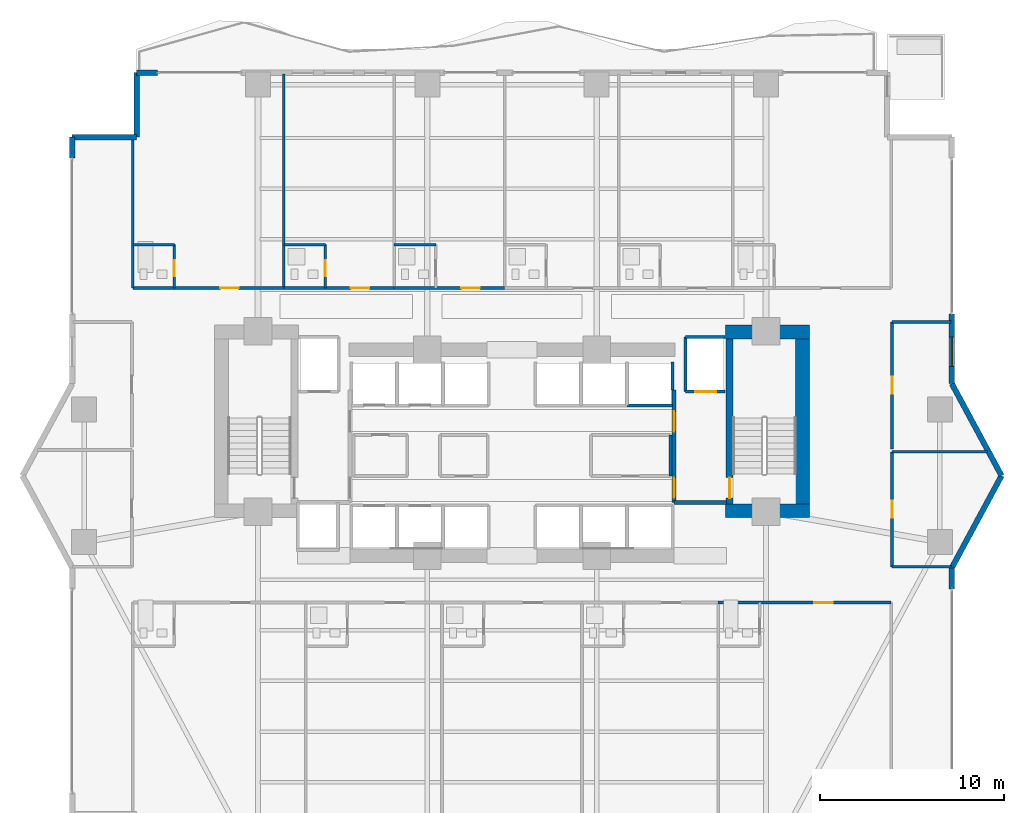
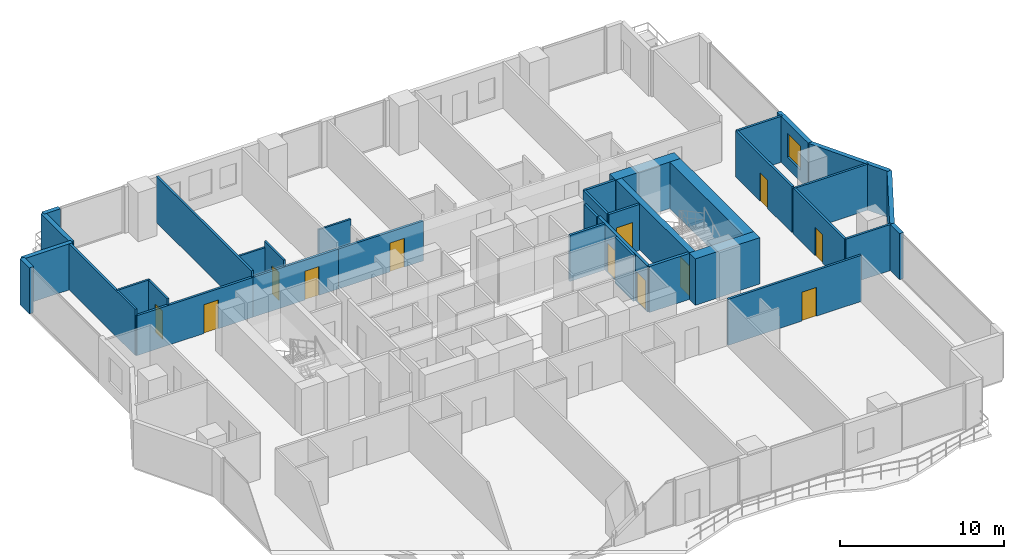
# One storey, part 22 of 27: 36 walls, 12 doors, 1 window, 13 openings.
"""IFC4 building model written with IfcOpenShell, lengths in metres."""

from ifc_helpers import new_model, si_unit, direction, frame, frame_2d, origin, place, context, subcontext, project, spatial, rectangle, extrude, material, layer, layer_set, type_object, element, fill, save


model = new_model("IFC4")

# Units and contexts
model_context = context("Model", 3, precision=1e-05, world=origin(), true_north=direction((0.0, 1.0)))
body_context = subcontext(model_context, "Body", "Model", "MODEL_VIEW")
ifc_project = project(units=[si_unit("LENGTHUNIT", "METRE"), si_unit("AREAUNIT", "SQUARE_METRE"), si_unit("VOLUMEUNIT", "CUBIC_METRE"), si_unit("PLANEANGLEUNIT", "RADIAN"), si_unit("MASSUNIT", "GRAM", prefix="KILO")], contexts=[model_context])

# Site, building, storey
site_placement = place(None, origin())
site = spatial("IfcSite", under=ifc_project, at=site_placement, CompositionType="ELEMENT")
building_placement = place(site_placement, origin())
building = spatial("IfcBuilding", under=site, at=building_placement, Name="Zuhayl Quay Hotel", CompositionType="ELEMENT")
storey_placement = place(building_placement, frame((0.0, 0.0, 102.949951171875)))
storey = spatial("IfcBuildingStorey", under=building, at=storey_placement, Name="L25", CompositionType="ELEMENT", Elevation=102.949951171875)

# Walls
ifc_material_1 = material(Name="Concrete C60/75", Category="concrete")
ifc_layer_1 = layer(ifc_material_1, 0.75, Name="Concrete C60/75", Category="concrete")
ifc_layer_set_1 = layer_set([ifc_layer_1], Name="Concrete C60/75")
wall_type_1 = type_object("IfcWallType", Name="WL_CORE_750", PredefinedType="SHEAR", material=ifc_layer_set_1)
wall_1_placement = place(storey_placement, frame((11.60009765625, 14.304931640625, 0.0), z_axis=(0.0, 0.0, 1.0), x_axis=(1.0, 0.0, 0.0)))
element("IfcWall", 1, at=wall_1_placement, inside=storey, type_object=wall_type_1, Name="L25 Core Shear Wall CW_NE", PredefinedType="SHEAR", context=body_context, shape_type="SweptSolid", body=[
    extrude(rectangle(XDim=4.559814453125, YDim=0.75, at=frame_2d((2.27978515625, 0.0))), origin(), (0.0, 0.0, 1.0), 3.4599609375),
])
wall_2_placement = place(storey_placement, frame((15.784912109375, 4.969970703125, 0.0), z_axis=(0.0, 0.0, 1.0), x_axis=(0.0, 1.0, 0.0)))
element("IfcWall", 2, at=wall_2_placement, inside=storey, type_object=wall_type_1, Name="L25 Core Shear Wall CW_E", PredefinedType="SHEAR", context=body_context, shape_type="SweptSolid", body=[
    extrude(rectangle(XDim=8.9599609375, YDim=0.75, at=frame_2d((4.47998046875, 0.0))), origin(), (0.0, 0.0, 1.0), 3.4599609375),
])
wall_3_placement = place(storey_placement, frame((11.60009765625, 4.594970703125, 0.0), z_axis=(0.0, 0.0, 1.0), x_axis=(1.0, 0.0, 0.0)))
element("IfcWall", 3, at=wall_3_placement, inside=storey, type_object=wall_type_1, Name="L25 Core Shear Wall CW_SE", PredefinedType="SHEAR", context=body_context, shape_type="SweptSolid", body=[
    extrude(rectangle(XDim=4.559814453125, YDim=0.75, at=frame_2d((2.27978515625, 0.0))), origin(), (0.0, 0.0, 1.0), 3.4599609375),
])
ifc_material_2 = material(Name="Precast concrete C45/55", Category="concrete")
ifc_layer_2 = layer(ifc_material_2, 0.300048828125, Name="Precast concrete C45/55", Category="concrete")
ifc_layer_set_2 = layer_set([ifc_layer_2], Name="Precast concrete C45/55")
wall_type_2 = type_object("IfcWallType", Name="WL_EXT_300", PredefinedType="STANDARD", material=ifc_layer_set_2)
wall_4_placement = place(storey_placement, frame((-23.89990234375, 23.75, 0.0), z_axis=(0.0, 0.0, 1.0), x_axis=(0.0, 1.0, 0.0)))
element("IfcWall", 4, at=wall_4_placement, inside=storey, type_object=wall_type_2, Name="L25 Exterior Precast Wall ENV_L25_E05_EW2", PredefinedType="STANDARD", context=body_context, shape_type="SweptSolid", body=[
    extrude(rectangle(XDim=1.14990234375, YDim=0.300048828125, at=frame_2d((0.574951171875, 0.0))), origin(), (0.0, 0.0, 1.0), 3.429931640625),
])
for number, where, z_axis, x_axis, name in (
    (5, (-23.89990234375, 24.89990234375, 0.0), (0.0, 0.0, 1.0), (1.0, 0.0, 0.0), "L25 Exterior Precast Wall ENV_L25_EW06"),
    (6, (-20.39990234375, 24.89990234375, 0.0), (0.0, 0.0, 1.0), (0.0, 1.0, 0.0), "L25 Exterior Precast Wall ENV_L25_EW07"),
):
    element("IfcWall", number, at=place(storey_placement, frame(where, z_axis=z_axis, x_axis=x_axis)), inside=storey, type_object=wall_type_2, Name=name, PredefinedType="STANDARD", context=body_context, shape_type="SweptSolid", body=[
        extrude(rectangle(XDim=3.5, YDim=0.300048828125, at=frame_2d((1.75, 0.0))), origin(), (0.0, 0.0, 1.0), 3.429931640625),
    ])
wall_5_placement = place(storey_placement, frame((-20.39990234375, 28.39990234375, 0.0), z_axis=(0.0, 0.0, 1.0), x_axis=(1.0, 0.0, 0.0)))
element("IfcWall", 7, at=wall_5_placement, inside=storey, type_object=wall_type_2, Name="L25 Exterior Precast Wall ENV_L25_N_EW1", PredefinedType="STANDARD", context=body_context, shape_type="SweptSolid", body=[
    extrude(rectangle(XDim=1.14990234375, YDim=0.300048828125, at=frame_2d((0.574951171875, 0.0))), origin(), (0.0, 0.0, 1.0), 3.429931640625),
])

# Wall, opening, window
wall_6_placement = place(storey_placement, frame((23.89990234375, 15.300048828125, 0.0), z_axis=(0.0, 0.0, 1.0), x_axis=(0.0, -1.0, 0.0)))
wall_6 = element("IfcWall", 8, at=wall_6_placement, inside=storey, type_object=wall_type_2, Name="L25 Exterior Precast Wall ENV_L25_E11_EW2", PredefinedType="STANDARD", context=body_context, shape_type="SweptSolid", body=[
    extrude(rectangle(XDim=3.800048828125, YDim=0.300048828125, at=frame_2d((1.89990234375, 0.0))), origin(), (0.0, 0.0, 1.0), 3.429931640625),
])
opening_1_placement = place(wall_6_placement, frame((1.264892578125, 0.0, 0.85009765625)))
opening_1 = element("IfcOpeningElement", 9, at=opening_1_placement, cuts=wall_6, Name="Opening W01", PredefinedType="OPENING", context=body_context, shape_type="SweptSolid", body=[
    extrude(rectangle(XDim=1.60009765625, YDim=1.800048828125, at=frame_2d((0.800048828125, 0.89990234375))), frame((0.0, 0.159912109375, 0.0), z_axis=(0.0, -1.0, 0.0), x_axis=(1.0, 0.0, 0.0)), (0.0, 0.0, 1.0), 0.320068359375),
])
ifc_material_3 = material(Name="Dark Ceramic-Fritted Solar Glass", Category="glass")
window_type = type_object("IfcWindowType", Name="WN_OPERABLE_1600", PartitioningType="DOUBLE_PANEL_VERTICAL", PredefinedType="WINDOW", material=ifc_material_3)
window_placement = place(opening_1_placement, origin())
window = element("IfcWindow", 10, at=window_placement, inside=storey, type_object=window_type, Name="L25 Operable Facade Window 2-1", OverallHeight=1.800048828125, OverallWidth=1.60009765625, PartitioningType="SINGLE_PANEL", PredefinedType="WINDOW", context=body_context, shape_type="SweptSolid", body=[
    extrude(rectangle(XDim=1.60009765625, YDim=1.800048828125, at=frame_2d((0.800048828125, 0.89990234375))), frame((0.0, 0.030029296875, 0.0), z_axis=(0.0, -1.0, 0.0), x_axis=(1.0, 0.0, 0.0)), (0.0, 0.0, 1.0), 0.06005859375),
])
fill(opening_1, window)

# Walls
for number, where, z_axis, x_axis, name in (
    (11, (23.89990234375, 11.5, 0.0), (0.0, 0.0, 1.0), (0.475175525499, -0.879891027325, 0.0), "L25 Exterior Precast Wall ENV_L25_EW12"),
    (12, (26.60009765625, 6.5, 0.0), (0.0, 0.0, 1.0), (-0.475175525499, -0.879891027325, 0.0), "L25 Exterior Precast Wall ENV_L25_EW13"),
):
    element("IfcWall", number, at=place(storey_placement, frame(where, z_axis=z_axis, x_axis=x_axis)), inside=storey, type_object=wall_type_2, Name=name, PredefinedType="STANDARD", context=body_context, shape_type="SweptSolid", body=[
        extrude(rectangle(XDim=5.6826171875, YDim=0.300048828125, at=frame_2d((2.84130859375, 0.0))), origin(), (0.0, 0.0, 1.0), 3.429931640625),
    ])
wall_7_placement = place(storey_placement, frame((23.89990234375, 1.5, 0.0), z_axis=(0.0, 0.0, 1.0), x_axis=(0.0, -1.0, 0.0)))
element("IfcWall", 13, at=wall_7_placement, inside=storey, type_object=wall_type_2, Name="L25 Exterior Precast Wall ENV_L25_E14_EW1", PredefinedType="STANDARD", context=body_context, shape_type="SweptSolid", body=[
    extrude(rectangle(XDim=1.14990234375, YDim=0.300048828125, at=frame_2d((0.574951171875, 0.0))), origin(), (0.0, 0.0, 1.0), 3.429931640625),
])
ifc_material_4 = material(Name="Acoustic Gypsum Partition STC-58")
ifc_layer_3 = layer(ifc_material_4, 0.14990234375, Name="Acoustic Gypsum Partition STC-58")
ifc_layer_set_3 = layer_set([ifc_layer_3], Name="Acoustic Gypsum Partition STC-58")
wall_type_3 = type_object("IfcWallType", Name="WL_PART_150", PredefinedType="PARTITIONING", material=ifc_layer_set_3)
wall_8_placement = place(storey_placement, frame((8.610107421875, 6.47998046875, 0.0), z_axis=(0.0, 0.0, 1.0), x_axis=(0.0, 1.0, 0.0)))
element("IfcWall", 14, at=wall_8_placement, inside=storey, type_object=wall_type_3, Name="L25 Partition IW_L25_CORE_VL_E", PredefinedType="PARTITIONING", context=body_context, shape_type="SweptSolid", body=[
    extrude(rectangle(XDim=2.239990234375, YDim=0.14990234375, at=frame_2d((1.1201171875, 0.0))), origin(), (0.0, 0.0, 1.0), 3.429931640625),
])
wall_9_placement = place(storey_placement, frame((-20.60009765625, 16.699951171875, 0.0), z_axis=(0.0, 0.0, 1.0), x_axis=(0.0, 1.0, 0.0)))
element("IfcWall", 15, at=wall_9_placement, inside=storey, type_object=wall_type_3, Name="L25 Partition IW_L25_NU01_W", PredefinedType="PARTITIONING", context=body_context, shape_type="SweptSolid", body=[
    extrude(rectangle(XDim=8.199951171875, YDim=0.14990234375, at=frame_2d((4.10009765625, 0.0))), origin(), (0.0, 0.0, 1.0), 3.429931640625),
])
wall_10_placement = place(storey_placement, frame((-12.39990234375, 16.699951171875, 0.0), z_axis=(0.0, 0.0, 1.0), x_axis=(0.0, 1.0, 0.0)))
element("IfcWall", 16, at=wall_10_placement, inside=storey, type_object=wall_type_3, Name="L25 Partition IW_L25_NU01_E", PredefinedType="PARTITIONING", context=body_context, shape_type="SweptSolid", body=[
    extrude(rectangle(XDim=11.6201171875, YDim=0.14990234375, at=frame_2d((5.81005859375, 0.0))), origin(), (0.0, 0.0, 1.0), 3.429931640625),
])
wall_11_placement = place(storey_placement, frame((20.64990234375, 1.550048828125, 0.0), z_axis=(0.0, 0.0, 1.0), x_axis=(1.0, 0.0, 0.0)))
element("IfcWall", 17, at=wall_11_placement, inside=storey, type_object=wall_type_3, Name="L25 Partition IW_L25_HK_MAIN_S", PredefinedType="PARTITIONING", context=body_context, shape_type="SweptSolid", body=[
    extrude(rectangle(XDim=3.217041015625, YDim=0.14990234375, at=frame_2d((1.6083984375, 0.0))), origin(), (0.0, 0.0, 1.0), 3.429931640625),
])
wall_12_placement = place(storey_placement, frame((20.64990234375, 7.800048828125, 0.0), z_axis=(0.0, 0.0, 1.0), x_axis=(1.0, 0.0, 0.0)))
element("IfcWall", 18, at=wall_12_placement, inside=storey, type_object=wall_type_3, Name="L25 Partition IW_L25_HK_MAIN_N", PredefinedType="PARTITIONING", context=body_context, shape_type="SweptSolid", body=[
    extrude(rectangle(XDim=5.18798828125, YDim=0.14990234375, at=frame_2d((2.593994140625, 0.0))), origin(), (0.0, 0.0, 1.0), 3.429931640625),
])
wall_13_placement = place(storey_placement, frame((20.64990234375, 14.85009765625, 0.0), z_axis=(0.0, 0.0, 1.0), x_axis=(1.0, 0.0, 0.0)))
element("IfcWall", 19, at=wall_13_placement, inside=storey, type_object=wall_type_3, Name="L25 Partition IW_L25_EFLK_2_N", PredefinedType="PARTITIONING", context=body_context, shape_type="SweptSolid", body=[
    extrude(rectangle(XDim=3.190185546875, YDim=0.14990234375, at=frame_2d((1.59521484375, 0.0))), origin(), (0.0, 0.0, 1.0), 3.429931640625),
])

# Wall, opening, door
ifc_layer_4 = layer(ifc_material_4, 0.159912109375, Name="Acoustic Gypsum Partition STC-58")
ifc_layer_set_4 = layer_set([ifc_layer_4], Name="Acoustic Gypsum Partition STC-58")
wall_type_4 = type_object("IfcWallType", Name="WL_PART_CORR_160", PredefinedType="PARTITIONING", material=ifc_layer_set_4)
wall_14_placement = place(storey_placement, frame((-20.60009765625, 16.699951171875, 0.0), z_axis=(0.0, 0.0, 1.0), x_axis=(1.0, 0.0, 0.0)))
wall_14 = element("IfcWall", 20, at=wall_14_placement, inside=storey, type_object=wall_type_4, Name="L25 Partition IW_L25_NU01_COR", PredefinedType="PARTITIONING", context=body_context, shape_type="SweptSolid", body=[
    extrude(rectangle(XDim=8.2001953125, YDim=0.159912109375, at=frame_2d((4.10009765625, 0.0))), origin(), (0.0, 0.0, 1.0), 2.97314453125),
])
opening_2_placement = place(wall_14_placement, frame((4.75, 0.0, 0.0)))
opening_2 = element("IfcOpeningElement", 21, at=opening_2_placement, cuts=wall_14, Name="Opening D03L", PredefinedType="OPENING", context=body_context, shape_type="SweptSolid", body=[
    extrude(rectangle(XDim=1.0, YDim=2.14990234375, at=frame_2d((0.5, 1.074951171875))), frame((0.0, 0.08984375, 0.0), z_axis=(0.0, -1.0, 0.0), x_axis=(1.0, 0.0, 0.0)), (0.0, 0.0, 1.0), 0.179931640625),
])
ifc_material_5 = material(Name="Solid Walnut Acoustic Fire Door")
door_type_1 = type_object("IfcDoorType", Name="DR_SUITE_1000", OperationType="NOTDEFINED", PredefinedType="DOOR", material=ifc_material_5)
door_1_placement = place(opening_2_placement, origin())
door_1 = element("IfcDoor", 22, at=door_1_placement, inside=storey, type_object=door_type_1, Name="L25 Executive Suite L25-01 Entrance Door", OperationType="SINGLE_SWING_RIGHT", OverallHeight=2.14990234375, OverallWidth=1.0, PredefinedType="DOOR", context=body_context, shape_type="SweptSolid", body=[
    extrude(rectangle(XDim=1.0, YDim=2.14990234375, at=frame_2d((0.5, 1.074951171875))), frame((0.0, 0.02490234375, 0.0), z_axis=(0.0, -1.0, 0.0), x_axis=(1.0, 0.0, 0.0)), (0.0, 0.0, 1.0), 0.050048828125),
])
fill(opening_2, door_1)

wall_15_placement = place(storey_placement, frame((-12.39990234375, 16.699951171875, 0.0), z_axis=(0.0, 0.0, 1.0), x_axis=(1.0, 0.0, 0.0)))
wall_15 = element("IfcWall", 23, at=wall_15_placement, inside=storey, type_object=wall_type_4, Name="L25 Partition IW_L25_NU02_COR", PredefinedType="PARTITIONING", context=body_context, shape_type="SweptSolid", body=[
    extrude(rectangle(XDim=6.0, YDim=0.159912109375, at=frame_2d((3.0, 0.0))), origin(), (0.0, 0.0, 1.0), 2.97314453125),
])
opening_3_placement = place(wall_15_placement, frame((3.64990234375, 0.0, 0.0)))
opening_3 = element("IfcOpeningElement", 24, at=opening_3_placement, cuts=wall_15, Name="Opening D03L", PredefinedType="OPENING", context=body_context, shape_type="SweptSolid", body=[
    extrude(rectangle(XDim=1.0, YDim=2.14990234375, at=frame_2d((0.5, 1.074951171875))), frame((0.0, 0.08984375, 0.0), z_axis=(0.0, -1.0, 0.0), x_axis=(1.0, 0.0, 0.0)), (0.0, 0.0, 1.0), 0.179931640625),
])
door_2_placement = place(opening_3_placement, origin())
door_2 = element("IfcDoor", 25, at=door_2_placement, inside=storey, type_object=door_type_1, Name="L25 Executive Suite L25-02 Entrance Door", OperationType="SINGLE_SWING_RIGHT", OverallHeight=2.14990234375, OverallWidth=1.0, PredefinedType="DOOR", context=body_context, shape_type="SweptSolid", body=[
    extrude(rectangle(XDim=1.0, YDim=2.14990234375, at=frame_2d((0.5, 1.074951171875))), frame((0.0, 0.02490234375, 0.0), z_axis=(0.0, -1.0, 0.0), x_axis=(1.0, 0.0, 0.0)), (0.0, 0.0, 1.0), 0.050048828125),
])
fill(opening_3, door_2)

wall_16_placement = place(storey_placement, frame((-6.39990234375, 16.699951171875, 0.0), z_axis=(0.0, 0.0, 1.0), x_axis=(1.0, 0.0, 0.0)))
wall_16 = element("IfcWall", 26, at=wall_16_placement, inside=storey, type_object=wall_type_4, Name="L25 Partition IW_L25_NU03_COR", PredefinedType="PARTITIONING", context=body_context, shape_type="SweptSolid", body=[
    extrude(rectangle(XDim=6.0, YDim=0.159912109375, at=frame_2d((3.0, 0.0))), origin(), (0.0, 0.0, 1.0), 2.97314453125),
])
opening_4_placement = place(wall_16_placement, frame((3.64990234375, 0.0, 0.0)))
opening_4 = element("IfcOpeningElement", 27, at=opening_4_placement, cuts=wall_16, Name="Opening D03L", PredefinedType="OPENING", context=body_context, shape_type="SweptSolid", body=[
    extrude(rectangle(XDim=1.0, YDim=2.14990234375, at=frame_2d((0.5, 1.074951171875))), frame((0.0, 0.08984375, 0.0), z_axis=(0.0, -1.0, 0.0), x_axis=(1.0, 0.0, 0.0)), (0.0, 0.0, 1.0), 0.179931640625),
])
door_3_placement = place(opening_4_placement, origin())
door_3 = element("IfcDoor", 28, at=door_3_placement, inside=storey, type_object=door_type_1, Name="L25 Executive Suite L25-03 Entrance Door", OperationType="SINGLE_SWING_RIGHT", OverallHeight=2.14990234375, OverallWidth=1.0, PredefinedType="DOOR", context=body_context, shape_type="SweptSolid", body=[
    extrude(rectangle(XDim=1.0, YDim=2.14990234375, at=frame_2d((0.5, 1.074951171875))), frame((0.0, 0.02490234375, 0.0), z_axis=(0.0, -1.0, 0.0), x_axis=(1.0, 0.0, 0.0)), (0.0, 0.0, 1.0), 0.050048828125),
])
fill(opening_4, door_3)

wall_17_placement = place(storey_placement, frame((11.199951171875, -0.39990234375, 0.0), z_axis=(0.0, 0.0, 1.0), x_axis=(1.0, 0.0, 0.0)))
wall_17 = element("IfcWall", 29, at=wall_17_placement, inside=storey, type_object=wall_type_4, Name="L25 Partition IW_L25_SU05_COR", PredefinedType="PARTITIONING", context=body_context, shape_type="SweptSolid", body=[
    extrude(rectangle(XDim=9.400146484375, YDim=0.159912109375, at=frame_2d((4.7001953125, 0.0))), origin(), (0.0, 0.0, 1.0), 3.429931640625),
])
opening_5_placement = place(wall_17_placement, frame((5.22509765625, 0.0, 0.0)))
opening_5 = element("IfcOpeningElement", 30, at=opening_5_placement, cuts=wall_17, Name="Opening D03L", PredefinedType="OPENING", context=body_context, shape_type="SweptSolid", body=[
    extrude(rectangle(XDim=1.0, YDim=2.14990234375, at=frame_2d((0.5, 1.074951171875))), frame((0.0, 0.08984375, 0.0), z_axis=(0.0, -1.0, 0.0), x_axis=(1.0, 0.0, 0.0)), (0.0, 0.0, 1.0), 0.179931640625),
])
door_4_placement = place(opening_5_placement, origin())
door_4 = element("IfcDoor", 31, at=door_4_placement, inside=storey, type_object=door_type_1, Name="L25 City-View Junior Suite L25-05 Entrance Door", OperationType="SINGLE_SWING_RIGHT", OverallHeight=2.14990234375, OverallWidth=1.0, PredefinedType="DOOR", context=body_context, shape_type="SweptSolid", body=[
    extrude(rectangle(XDim=1.0, YDim=2.14990234375, at=frame_2d((0.5, 1.074951171875))), frame((0.0, 0.02490234375, 0.0), z_axis=(0.0, -1.0, 0.0), x_axis=(1.0, 0.0, 0.0)), (0.0, 0.0, 1.0), 0.050048828125),
])
fill(opening_5, door_4)

wall_18_placement = place(storey_placement, frame((20.64990234375, 1.550048828125, 0.0), z_axis=(0.0, 0.0, 1.0), x_axis=(0.0, 1.0, 0.0)))
wall_18 = element("IfcWall", 32, at=wall_18_placement, inside=storey, type_object=wall_type_4, Name="L25 Partition IW_L25_HK_MAIN_W", PredefinedType="PARTITIONING", context=body_context, shape_type="SweptSolid", body=[
    extrude(rectangle(XDim=6.25, YDim=0.159912109375, at=frame_2d((3.125, 0.0))), origin(), (0.0, 0.0, 1.0), 3.429931640625),
])
opening_6_placement = place(wall_18_placement, frame((2.6650390625, 0.0, 0.0)))
opening_6 = element("IfcOpeningElement", 33, at=opening_6_placement, cuts=wall_18, Name="Opening D05", PredefinedType="OPENING", context=body_context, shape_type="SweptSolid", body=[
    extrude(rectangle(XDim=0.919921875, YDim=2.1201171875, at=frame_2d((0.4599609375, 1.06005859375))), frame((0.0, 0.08984375, 0.0), z_axis=(0.0, -1.0, 0.0), x_axis=(1.0, 0.0, 0.0)), (0.0, 0.0, 1.0), 0.179931640625),
])
door_type_2 = type_object("IfcDoorType", Name="DR_INT_950", OperationType="NOTDEFINED", PredefinedType="DOOR", material=ifc_material_5)
door_5_placement = place(opening_6_placement, origin())
door_5 = element("IfcDoor", 34, at=door_5_placement, inside=storey, type_object=door_type_2, Name="L25 Housekeeping and Linen Room Door", OperationType="SINGLE_SWING_LEFT", OverallHeight=2.1201171875, OverallWidth=0.919921875, PredefinedType="DOOR", context=body_context, shape_type="SweptSolid", body=[
    extrude(rectangle(XDim=0.919921875, YDim=2.1201171875, at=frame_2d((0.4599609375, 1.06005859375))), frame((0.0, 0.02490234375, 0.0), z_axis=(0.0, -1.0, 0.0), x_axis=(1.0, 0.0, 0.0)), (0.0, 0.0, 1.0), 0.050048828125),
])
fill(opening_6, door_5)

wall_19_placement = place(storey_placement, frame((20.64990234375, 7.9599609375, 0.0), z_axis=(0.0, 0.0, 1.0), x_axis=(0.0, 1.0, 0.0)))
wall_19 = element("IfcWall", 35, at=wall_19_placement, inside=storey, type_object=wall_type_4, Name="L25 Partition IW_L25_EFLK_2_W", PredefinedType="PARTITIONING", context=body_context, shape_type="SweptSolid", body=[
    extrude(rectangle(XDim=6.89013671875, YDim=0.159912109375, at=frame_2d((3.445068359375, 0.0))), origin(), (0.0, 0.0, 1.0), 3.429931640625),
])
opening_7_placement = place(wall_19_placement, frame((2.985107421875, 0.0, 0.0)))
opening_7 = element("IfcOpeningElement", 36, at=opening_7_placement, cuts=wall_19, Name="Opening D05", PredefinedType="OPENING", context=body_context, shape_type="SweptSolid", body=[
    extrude(rectangle(XDim=0.919921875, YDim=2.1201171875, at=frame_2d((0.4599609375, 1.06005859375))), frame((0.0, 0.08984375, 0.0), z_axis=(0.0, -1.0, 0.0), x_axis=(1.0, 0.0, 0.0)), (0.0, 0.0, 1.0), 0.179931640625),
])
door_6_placement = place(opening_7_placement, origin())
door_6 = element("IfcDoor", 37, at=door_6_placement, inside=storey, type_object=door_type_2, Name="L25 Floor Beverage and Ice Pantry Door", OperationType="SINGLE_SWING_RIGHT", OverallHeight=2.1201171875, OverallWidth=0.919921875, PredefinedType="DOOR", context=body_context, shape_type="SweptSolid", body=[
    extrude(rectangle(XDim=0.919921875, YDim=2.1201171875, at=frame_2d((0.4599609375, 1.06005859375))), frame((0.0, 0.02490234375, 0.0), z_axis=(0.0, -1.0, 0.0), x_axis=(1.0, 0.0, 0.0)), (0.0, 0.0, 1.0), 0.050048828125),
])
fill(opening_7, door_6)

ifc_material_6 = material(Name="Moisture-Resistant Sanitarychase Gypsum")
ifc_layer_5 = layer(ifc_material_6, 0.135009765625, Name="Moisture-Resistant Sanitarychase Gypsum")
ifc_layer_set_5 = layer_set([ifc_layer_5], Name="Moisture-Resistant Sanitarychase Gypsum")
wall_type_5 = type_object("IfcWallType", Name="WL_PART_PLUMB_150", PredefinedType="PLUMBINGWALL", material=ifc_layer_set_5)
wall_20_placement = place(storey_placement, frame((-18.340087890625, 16.699951171875, 0.0), z_axis=(0.0, 0.0, 1.0), x_axis=(0.0, 1.0, 0.0)))
wall_20 = element("IfcWall", 38, at=wall_20_placement, inside=storey, type_object=wall_type_5, Name="L25 Partition IW_L25_NU01_BE", PredefinedType="PLUMBINGWALL", context=body_context, shape_type="SweptSolid", body=[
    extrude(rectangle(XDim=2.360107421875, YDim=0.135009765625, at=frame_2d((1.18017578125, 0.0))), origin(), (0.0, 0.0, 1.0), 3.429931640625),
])
opening_8_placement = place(wall_20_placement, frame((0.64990234375, 0.0, 0.0)))
opening_8 = element("IfcOpeningElement", 39, at=opening_8_placement, cuts=wall_20, Name="Opening D04", PredefinedType="OPENING", context=body_context, shape_type="SweptSolid", body=[
    extrude(rectangle(XDim=0.85009765625, YDim=2.10009765625, at=frame_2d((0.425048828125, 1.050048828125))), frame((0.0, 0.077392578125, 0.0), z_axis=(0.0, -1.0, 0.0), x_axis=(1.0, 0.0, 0.0)), (0.0, 0.0, 1.0), 0.155029296875),
])
ifc_material_7 = material(Name="Moisture-Resistant Walnut Veneer")
door_type_3 = type_object("IfcDoorType", Name="DR_BATH_850", OperationType="NOTDEFINED", PredefinedType="DOOR", material=ifc_material_7)
door_7_placement = place(opening_8_placement, origin())
door_7 = element("IfcDoor", 40, at=door_7_placement, inside=storey, type_object=door_type_3, Name="L25 Executive Suite L25-01 En-Suite Door", OperationType="SINGLE_SWING_LEFT", OverallHeight=2.10009765625, OverallWidth=0.85009765625, PredefinedType="DOOR", context=body_context, shape_type="SweptSolid", body=[
    extrude(rectangle(XDim=0.85009765625, YDim=2.10009765625, at=frame_2d((0.425048828125, 1.050048828125))), frame((0.0, 0.02490234375, 0.0), z_axis=(0.0, -1.0, 0.0), x_axis=(1.0, 0.0, 0.0)), (0.0, 0.0, 1.0), 0.050048828125),
])
fill(opening_8, door_7)

wall_21_placement = place(storey_placement, frame((-10.139892578125, 16.699951171875, 0.0), z_axis=(0.0, 0.0, 1.0), x_axis=(0.0, 1.0, 0.0)))
wall_21 = element("IfcWall", 41, at=wall_21_placement, inside=storey, type_object=wall_type_5, Name="L25 Partition IW_L25_NU02_BE", PredefinedType="PLUMBINGWALL", context=body_context, shape_type="SweptSolid", body=[
    extrude(rectangle(XDim=2.360107421875, YDim=0.135009765625, at=frame_2d((1.18017578125, 0.0))), origin(), (0.0, 0.0, 1.0), 3.429931640625),
])
opening_9_placement = place(wall_21_placement, frame((0.64990234375, 0.0, 0.0)))
opening_9 = element("IfcOpeningElement", 42, at=opening_9_placement, cuts=wall_21, Name="Opening D04", PredefinedType="OPENING", context=body_context, shape_type="SweptSolid", body=[
    extrude(rectangle(XDim=0.85009765625, YDim=2.10009765625, at=frame_2d((0.425048828125, 1.050048828125))), frame((0.0, 0.077392578125, 0.0), z_axis=(0.0, -1.0, 0.0), x_axis=(1.0, 0.0, 0.0)), (0.0, 0.0, 1.0), 0.155029296875),
])
door_8_placement = place(opening_9_placement, origin())
door_8 = element("IfcDoor", 43, at=door_8_placement, inside=storey, type_object=door_type_3, Name="L25 Executive Suite L25-02 En-Suite Door", OperationType="SINGLE_SWING_LEFT", OverallHeight=2.10009765625, OverallWidth=0.85009765625, PredefinedType="DOOR", context=body_context, shape_type="SweptSolid", body=[
    extrude(rectangle(XDim=0.85009765625, YDim=2.10009765625, at=frame_2d((0.425048828125, 1.050048828125))), frame((0.0, 0.02490234375, 0.0), z_axis=(0.0, -1.0, 0.0), x_axis=(1.0, 0.0, 0.0)), (0.0, 0.0, 1.0), 0.050048828125),
])
fill(opening_9, door_8)

# Walls
wall_22_placement = place(storey_placement, frame((-20.60009765625, 19.06005859375, 0.0), z_axis=(0.0, 0.0, 1.0), x_axis=(1.0, 0.0, 0.0)))
element("IfcWall", 44, at=wall_22_placement, inside=storey, type_object=wall_type_5, Name="L25 Partition IW_L25_NU01_BN", PredefinedType="PLUMBINGWALL", context=body_context, shape_type="SweptSolid", body=[
    extrude(rectangle(XDim=2.260009765625, YDim=0.135009765625, at=frame_2d((1.1298828125, 0.0))), origin(), (0.0, 0.0, 1.0), 3.429931640625),
])
for number, where, z_axis, x_axis, name in (
    (45, (-12.39990234375, 19.06005859375, 0.0), (0.0, 0.0, 1.0), (1.0, 0.0, 0.0), "L25 Partition IW_L25_NU02_BN"),
    (46, (-6.39990234375, 19.06005859375, 0.0), (0.0, 0.0, 1.0), (1.0, 0.0, 0.0), "L25 Partition IW_L25_NU03_BN"),
):
    element("IfcWall", number, at=place(storey_placement, frame(where, z_axis=z_axis, x_axis=x_axis)), inside=storey, type_object=wall_type_5, Name=name, PredefinedType="PLUMBINGWALL", context=body_context, shape_type="SweptSolid", body=[
        extrude(rectangle(XDim=2.260009765625, YDim=0.135009765625, at=frame_2d((1.1298828125, 0.0))), origin(), (0.0, 0.0, 1.0), 2.97314453125),
    ])

# Wall, opening, door
ifc_material_8 = material(Name="Gypsum Fireboard Assembly EI-90")
ifc_layer_6 = layer(ifc_material_8, 0.1650390625, Name="Gypsum Fireboard Assembly EI-90")
ifc_layer_set_6 = layer_set([ifc_layer_6], Name="Gypsum Fireboard Assembly EI-90")
wall_type_6 = type_object("IfcWallType", Name="WL_PART_SHAFT_160", PredefinedType="PARTITIONING", material=ifc_layer_set_6)
wall_23_placement = place(storey_placement, frame((9.419921875, 11.070068359375, 0.0), z_axis=(0.0, 0.0, 1.0), x_axis=(1.0, 0.0, 0.0)))
wall_23 = element("IfcWall", 47, at=wall_23_placement, inside=storey, type_object=wall_type_6, Name="L25 Partition IW_L25_SH_FL2_F", PredefinedType="PARTITIONING", context=body_context, shape_type="SweptSolid", body=[
    extrude(rectangle(XDim=2.16015625, YDim=0.1650390625, at=frame_2d((1.080078125, 0.0))), origin(), (0.0, 0.0, 1.0), 3.429931640625),
])
opening_10_placement = place(wall_23_placement, frame((0.530029296875, 0.0, 0.0)))
opening_10 = element("IfcOpeningElement", 48, at=opening_10_placement, cuts=wall_23, Name="Opening LD2", PredefinedType="OPENING", context=body_context, shape_type="SweptSolid", body=[
    extrude(rectangle(XDim=1.14990234375, YDim=2.25, at=frame_2d((0.574951171875, 1.125))), frame((0.0, 0.092529296875, 0.0), z_axis=(0.0, -1.0, 0.0), x_axis=(1.0, 0.0, 0.0)), (0.0, 0.0, 1.0), 0.18505859375),
])
ifc_material_9 = material(Name="Brushed Stainless Steel", Category="steel")
door_type_4 = type_object("IfcDoorType", Name="DR_LIFT_FF_1100", OperationType="SLIDING_TO_LEFT", PredefinedType="DOOR", material=ifc_material_9)
door_9_placement = place(opening_10_placement, origin())
door_9 = element("IfcDoor", 49, at=door_9_placement, inside=storey, type_object=door_type_4, Name="L25 Lift FL2 Sliding Landing Door", OperationType="SLIDING_TO_LEFT", OverallHeight=2.25, OverallWidth=1.14990234375, PredefinedType="DOOR", context=body_context, shape_type="SweptSolid", body=[
    extrude(rectangle(XDim=1.14990234375, YDim=2.25, at=frame_2d((0.574951171875, 1.125))), frame((0.0, 0.02490234375, 0.0), z_axis=(0.0, -1.0, 0.0), x_axis=(1.0, 0.0, 0.0)), (0.0, 0.0, 1.0), 0.050048828125),
])
fill(opening_10, door_9)

# Walls
wall_24_placement = place(storey_placement, frame((9.419921875, 11.070068359375, 0.0), z_axis=(0.0, 0.0, 1.0), x_axis=(0.0, 1.0, 0.0)))
element("IfcWall", 50, at=wall_24_placement, inside=storey, type_object=wall_type_6, Name="L25 Partition IW_L25_SH_FL2_W", PredefinedType="PARTITIONING", context=body_context, shape_type="SweptSolid", body=[
    extrude(rectangle(XDim=2.9599609375, YDim=0.1650390625, at=frame_2d((1.47998046875, 0.0))), origin(), (0.0, 0.0, 1.0), 3.429931640625),
])
wall_25_placement = place(storey_placement, frame((9.419921875, 14.030029296875, 0.0), z_axis=(0.0, 0.0, 1.0), x_axis=(1.0, 0.0, 0.0)))
element("IfcWall", 51, at=wall_25_placement, inside=storey, type_object=wall_type_6, Name="L25 Partition IW_L25_SH_FL2_B", PredefinedType="PARTITIONING", context=body_context, shape_type="SweptSolid", body=[
    extrude(rectangle(XDim=2.16015625, YDim=0.1650390625, at=frame_2d((1.080078125, 0.0))), origin(), (0.0, 0.0, 1.0), 3.429931640625),
])
wall_26_placement = place(storey_placement, frame((6.25, 10.320068359375, 0.0), z_axis=(0.0, 0.0, 1.0), x_axis=(1.0, 0.0, 0.0)))
element("IfcWall", 52, at=wall_26_placement, inside=storey, type_object=wall_type_6, Name="L25 Partition IW_L25_SH_HP4_F", PredefinedType="PARTITIONING", context=body_context, shape_type="SweptSolid", body=[
    extrude(rectangle(XDim=2.47998046875, YDim=0.1650390625, at=frame_2d((1.239990234375, 0.0))), origin(), (0.0, 0.0, 1.0), 3.429931640625),
])
wall_27_placement = place(storey_placement, frame((8.72998046875, 11.14990234375, 0.0), z_axis=(0.0, 0.0, 1.0), x_axis=(0.0, 1.0, 0.0)))
element("IfcWall", 53, at=wall_27_placement, inside=storey, type_object=wall_type_6, Name="L25 Partition IW_L25_SH_HP4_E", PredefinedType="PARTITIONING", context=body_context, shape_type="SweptSolid", body=[
    extrude(rectangle(XDim=1.530029296875, YDim=0.1650390625, at=frame_2d((0.76513671875, 0.0))), origin(), (0.0, 0.0, 1.0), 3.429931640625),
])

# Wall, openings, doors
ifc_material_10 = material(Name="Gypsum Fireboard Assembly EI-120")
ifc_layer_7 = layer(ifc_material_10, 0.199951171875, Name="Gypsum Fireboard Assembly EI-120")
ifc_layer_set_7 = layer_set([ifc_layer_7], Name="Gypsum Fireboard Assembly EI-120")
wall_type_7 = type_object("IfcWallType", Name="WL_PART_SHAFT_200", PredefinedType="PARTITIONING", material=ifc_layer_set_7)
wall_28_placement = place(storey_placement, frame((8.800048828125, 11.14990234375, 0.0), z_axis=(0.0, 0.0, 1.0), x_axis=(0.0, -1.0, 0.0)))
wall_28 = element("IfcWall", 54, at=wall_28_placement, inside=storey, type_object=wall_type_7, Name="L25 Partition IW_L25_FSAE_E_W", PredefinedType="PARTITIONING", context=body_context, shape_type="SweptSolid", body=[
    extrude(rectangle(XDim=6.099853515625, YDim=0.199951171875, at=frame_2d((3.0498046875, 0.0))), origin(), (0.0, 0.0, 1.0), 3.429931640625),
])
opening_11_placement = place(wall_28_placement, frame((1.14990234375, 0.0, 0.0)))
opening_11 = element("IfcOpeningElement", 55, at=opening_11_placement, cuts=wall_28, Name="Opening D02", PredefinedType="OPENING", context=body_context, shape_type="SweptSolid", body=[
    extrude(rectangle(XDim=1.10009765625, YDim=2.199951171875, at=frame_2d((0.550048828125, 1.10009765625))), frame((0.0, 0.10986328125, 0.0), z_axis=(0.0, -1.0, 0.0), x_axis=(1.0, 0.0, 0.0)), (0.0, 0.0, 1.0), 0.219970703125),
])
opening_12_placement = place(wall_28_placement, frame((4.75, 0.0, 0.0)))
opening_12 = element("IfcOpeningElement", 56, at=opening_12_placement, cuts=wall_28, Name="Opening D02", PredefinedType="OPENING", context=body_context, shape_type="SweptSolid", body=[
    extrude(rectangle(XDim=1.10009765625, YDim=2.199951171875, at=frame_2d((0.550048828125, 1.10009765625))), frame((0.0, 0.10986328125, 0.0), z_axis=(0.0, -1.0, 0.0), x_axis=(1.0, 0.0, 0.0)), (0.0, 0.0, 1.0), 0.219970703125),
])
ifc_material_11 = material(Name="Steel ASTM A992 Grade 50", Category="steel")
door_type_5 = type_object("IfcDoorType", Name="DR_FIRE_90_1100", OperationType="NOTDEFINED", PredefinedType="DOOR", material=ifc_material_11)
door_10_placement = place(opening_11_placement, origin())
door_10 = element("IfcDoor", 57, at=door_10_placement, inside=storey, type_object=door_type_5, Name="L25 FSAE Lobby East North Entry Door", OperationType="SINGLE_SWING_RIGHT", OverallHeight=2.199951171875, OverallWidth=1.10009765625, PredefinedType="DOOR", context=body_context, shape_type="SweptSolid", body=[
    extrude(rectangle(XDim=1.10009765625, YDim=2.199951171875, at=frame_2d((0.550048828125, 1.10009765625))), frame((0.0, 0.02490234375, 0.0), z_axis=(0.0, -1.0, 0.0), x_axis=(1.0, 0.0, 0.0)), (0.0, 0.0, 1.0), 0.050048828125),
])
fill(opening_11, door_10)
door_11_placement = place(opening_12_placement, origin())
door_11 = element("IfcDoor", 58, at=door_11_placement, inside=storey, type_object=door_type_5, Name="L25 FSAE Lobby East South Entry Door", OperationType="SINGLE_SWING_LEFT", OverallHeight=2.199951171875, OverallWidth=1.10009765625, PredefinedType="DOOR", context=body_context, shape_type="SweptSolid", body=[
    extrude(rectangle(XDim=1.10009765625, YDim=2.199951171875, at=frame_2d((0.550048828125, 1.10009765625))), frame((0.0, 0.02490234375, 0.0), z_axis=(0.0, -1.0, 0.0), x_axis=(1.0, 0.0, 0.0)), (0.0, 0.0, 1.0), 0.050048828125),
])
fill(opening_12, door_11)

# Wall
wall_29_placement = place(storey_placement, frame((8.800048828125, 5.050048828125, 0.0), z_axis=(0.0, 0.0, 1.0), x_axis=(1.0, 0.0, 0.0)))
element("IfcWall", 59, at=wall_29_placement, inside=storey, type_object=wall_type_7, Name="L25 Partition IW_L25_FSAE_E_S", PredefinedType="PARTITIONING", context=body_context, shape_type="SweptSolid", body=[
    extrude(rectangle(XDim=2.849853515625, YDim=0.199951171875, at=frame_2d((1.4248046875, 0.0))), origin(), (0.0, 0.0, 1.0), 3.429931640625),
])

# Wall, opening, door
ifc_layer_8 = layer(ifc_material_1, 0.39990234375, Name="Concrete C60/75", Category="concrete")
ifc_layer_set_8 = layer_set([ifc_layer_8], Name="Concrete C60/75")
wall_type_8 = type_object("IfcWallType", Name="WL_STAIR_400", PredefinedType="SHEAR", material=ifc_layer_set_8)
wall_30_placement = place(storey_placement, frame((11.820068359375, 13.929931640625, 0.0), z_axis=(0.0, 0.0, 1.0), x_axis=(0.0, -1.0, 0.0)))
wall_30 = element("IfcWall", 60, at=wall_30_placement, inside=storey, type_object=wall_type_8, Name="L25 Core Shear Wall SW_ST2", PredefinedType="SHEAR", context=body_context, shape_type="SweptSolid", body=[
    extrude(rectangle(XDim=8.9599609375, YDim=0.39990234375, at=frame_2d((4.47998046875, 0.0))), origin(), (0.0, 0.0, 1.0), 3.4599609375),
])
opening_13_placement = place(wall_30_placement, frame((7.530029296875, 0.0, 0.0)))
opening_13 = element("IfcOpeningElement", 61, at=opening_13_placement, cuts=wall_30, Name="Opening D01", PredefinedType="OPENING", context=body_context, shape_type="SweptSolid", body=[
    extrude(rectangle(XDim=1.1201171875, YDim=2.219970703125, at=frame_2d((0.56005859375, 1.10986328125))), frame((0.0, 0.2099609375, 0.0), z_axis=(0.0, -1.0, 0.0), x_axis=(1.0, 0.0, 0.0)), (0.0, 0.0, 1.0), 0.419921875),
])
door_type_6 = type_object("IfcDoorType", Name="DR_STAIR_90_1100", OperationType="NOTDEFINED", PredefinedType="DOOR", material=ifc_material_11)
door_12_placement = place(opening_13_placement, origin())
door_12 = element("IfcDoor", 62, at=door_12_placement, inside=storey, type_object=door_type_6, Name="L25 Smokeproof Exit Stair ST2 Door", OperationType="SINGLE_SWING_RIGHT", OverallHeight=2.219970703125, OverallWidth=1.1201171875, PredefinedType="DOOR", context=body_context, shape_type="SweptSolid", body=[
    extrude(rectangle(XDim=1.1201171875, YDim=2.219970703125, at=frame_2d((0.56005859375, 1.10986328125))), frame((0.0, 0.02490234375, 0.0), z_axis=(0.0, -1.0, 0.0), x_axis=(1.0, 0.0, 0.0)), (0.0, 0.0, 1.0), 0.050048828125),
])
fill(opening_13, door_12)

save(model, "model.ifc")
